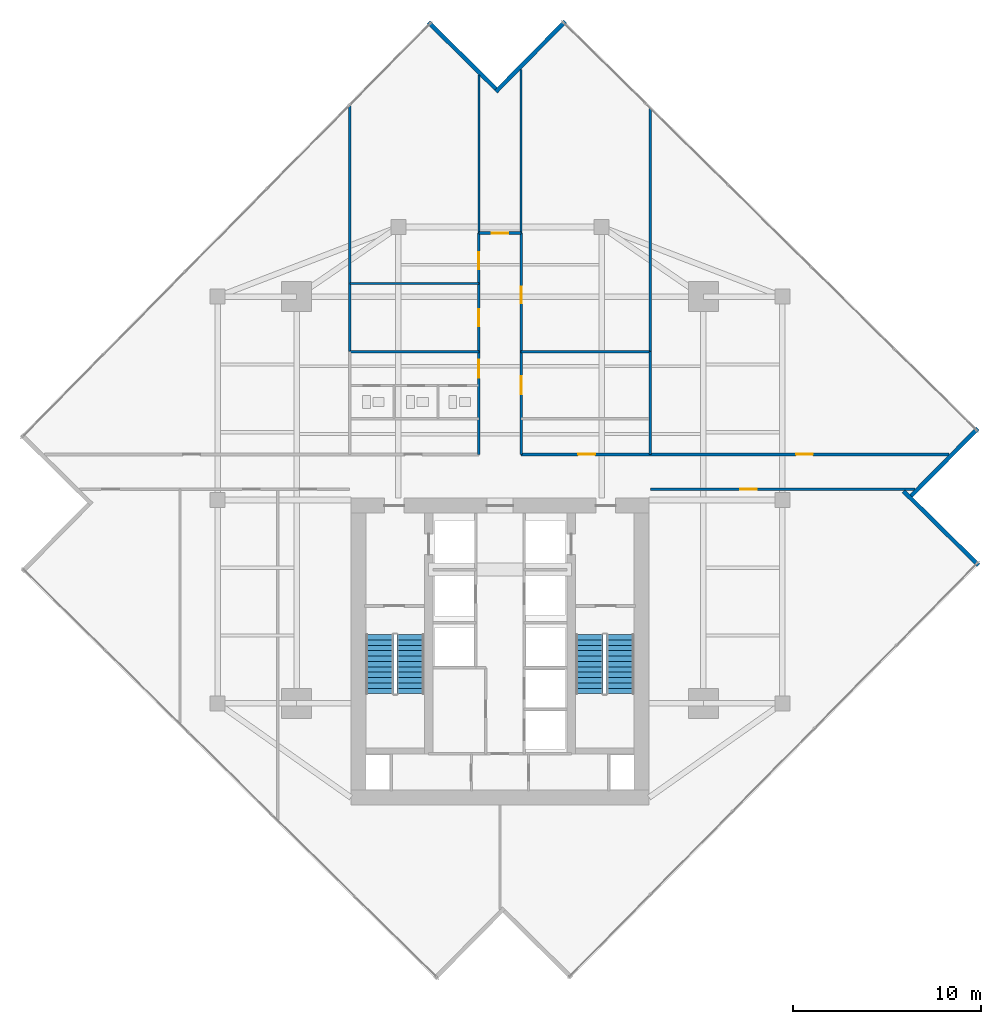
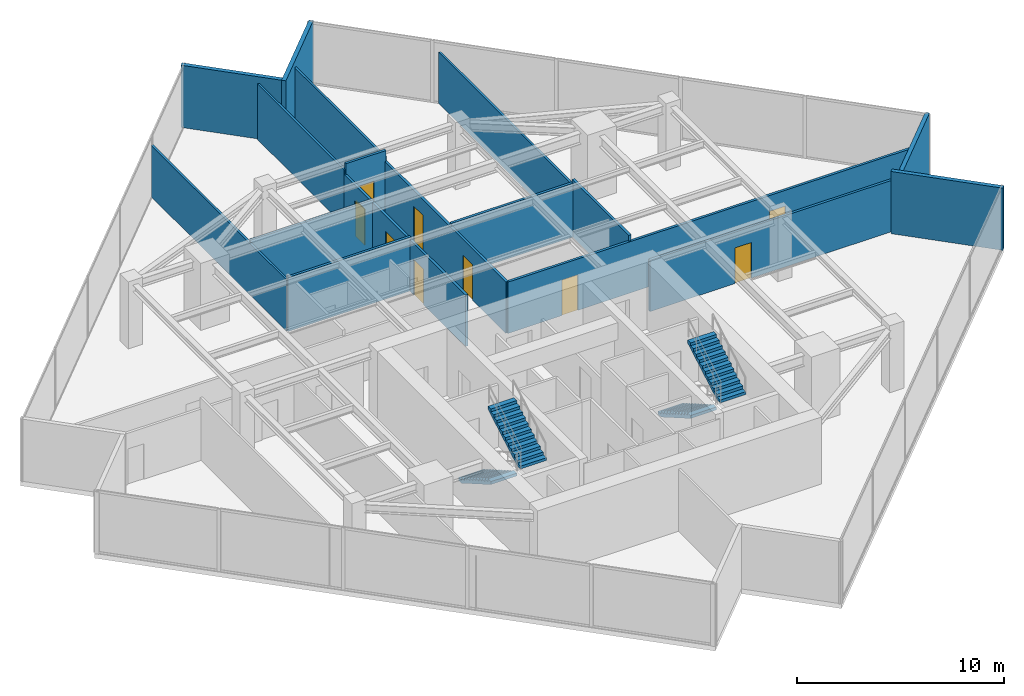
# One storey, part 22 of 24: 17 walls, 9 doors, 4 stair flights, 9 openings, 2 elements without a shape of their own.
"""IFC4 building model written with IfcOpenShell, lengths in metres."""

import ifcopenshell
import ifcopenshell.guid

model = None  # the IFC model being written
_history = None  # IfcOwnerHistory: only IFC2X3 demands one
_inside = {}  # id of a spatial element -> (the spatial element, [elements in it])
_under = {}  # id of a project, library or spatial element -> (it, [spatial elements below it])
_declared = {}  # id of a project -> (the project, [libraries it declares])
_typed = {}  # id of a type object -> (the type object, [elements of that type])
_made_of = {}  # id of a material, layer set ... -> (it, [elements and type objects made of it])


def new_model(schema):
    """Start an empty IFC model of exactly this schema.

    Asked for "IFC4X3", IfcOpenShell would pick the latest addendum, in which some entities
    have other attributes; the version numbers below select the first issue.
    IFC2X3 requires an IfcOwnerHistory on every rooted entity: one is made here for all.
    """
    global model, _history
    if schema == "IFC4X3":
        model = ifcopenshell.file(schema_version=(4, 3, 0, 0))
    else:
        model = ifcopenshell.file(schema=schema)
    _inside.clear()
    _under.clear()
    _declared.clear()
    _typed.clear()
    _made_of.clear()
    _history = None
    if model.schema == "IFC2X3":
        org = make("IfcOrganization", Name="unknown")
        user = make(
            "IfcPersonAndOrganization",
            ThePerson=make("IfcPerson", FamilyName="unknown"),
            TheOrganization=org,
        )
        app = make(
            "IfcApplication",
            ApplicationDeveloper=org,
            Version="unknown",
            ApplicationFullName="unknown",
            ApplicationIdentifier="unknown",
        )
        _history = make(
            "IfcOwnerHistory",
            OwningUser=user,
            OwningApplication=app,
            ChangeAction="ADDED",
            CreationDate=0,
        )
    return model


def make(cls, **values):
    """One entity of the class cls with the attributes given. An attribute that is None is left unset."""
    return model.create_entity(
        cls, **{name: value for name, value in values.items() if value is not None}
    )


def rooted(cls, **values):
    """An entity with a GlobalId (a new one), such as an element, a storey or a relation."""
    return make(cls, GlobalId=ifcopenshell.guid.new(), OwnerHistory=_history, **values)


def si_unit(unit_type, name, prefix=None):
    """IfcSIUnit, for example si_unit("LENGTHUNIT", "METRE", prefix="MILLI")."""
    return make("IfcSIUnit", UnitType=unit_type, Prefix=prefix, Name=name)


def assignment(units):
    """IfcUnitAssignment: the units of a project."""
    return None if units is None else make("IfcUnitAssignment", Units=units)


def point(xyz):
    """IfcCartesianPoint."""
    return None if xyz is None else make("IfcCartesianPoint", Coordinates=xyz)


def direction(xyz):
    """IfcDirection."""
    return None if xyz is None else make("IfcDirection", DirectionRatios=xyz)


def frame(location, z_axis=None, x_axis=None):
    """IfcAxis2Placement3D, a coordinate frame: its origin and axes. An axis left out is left unset."""
    return make(
        "IfcAxis2Placement3D",
        Location=point(location),
        Axis=direction(z_axis),
        RefDirection=direction(x_axis),
    )


def frame_2d(location, x_axis=None):
    """IfcAxis2Placement2D, a coordinate frame in the plane: its origin and x axis."""
    return make(
        "IfcAxis2Placement2D", Location=point(location), RefDirection=direction(x_axis)
    )


def origin():
    """The frame at (0, 0, 0) with its axes left unset."""
    return frame((0.0, 0.0, 0.0))


def place(relative_to, where):
    """IfcLocalPlacement: puts the frame where relative to a parent placement (None: the world)."""
    return make(
        "IfcLocalPlacement", PlacementRelTo=relative_to, RelativePlacement=where
    )


def context(
    kind, dimensions, precision=None, world=None, true_north=None, identifier=None
):
    """IfcGeometricRepresentationContext, for example the 3D "Model" context."""
    return make(
        "IfcGeometricRepresentationContext",
        ContextIdentifier=identifier,
        ContextType=kind,
        CoordinateSpaceDimension=dimensions,
        Precision=precision,
        WorldCoordinateSystem=world,
        TrueNorth=true_north,
    )


def subcontext(parent, identifier, kind, view, scale=None):
    """IfcGeometricRepresentationSubContext, for example "Body" below "Model"."""
    return make(
        "IfcGeometricRepresentationSubContext",
        ContextIdentifier=identifier,
        ContextType=kind,
        ParentContext=parent,
        TargetScale=scale,
        TargetView=view,
    )


def project(units=None, contexts=None):
    """IfcProject with its units and contexts."""
    return rooted(
        "IfcProject",
        Name="project",
        RepresentationContexts=contexts,
        UnitsInContext=assignment(units),
    )


def spatial(cls, under=None, at=None, **own):
    """A site, building, storey or space (cls), placed at a placement, below another one or the project."""
    s = rooted(cls, ObjectPlacement=at, **own)
    if under is not None:
        _under.setdefault(under.id(), (under, []))[1].append(s)
    return s


def polyline(points):
    """IfcPolyline through the points."""
    return make("IfcPolyline", Points=[point(p) for p in points])


def profile(cls, at=None, kind="AREA", **sizes):
    """A parametric profile (cls). Its sizes go by their IFC names, for example OverallWidth=200.0."""
    return make(cls, ProfileType=kind, Position=at, **sizes)


def rectangle(**sizes):
    """IfcRectangleProfileDef."""
    return profile("IfcRectangleProfileDef", **sizes)


def outline(outer, holes=None, kind="AREA"):
    """IfcArbitraryClosedProfileDef: a profile drawn as a closed curve; with holes, ...WithVoids."""
    if holes is None:
        return make("IfcArbitraryClosedProfileDef", ProfileType=kind, OuterCurve=outer)
    return make(
        "IfcArbitraryProfileDefWithVoids",
        ProfileType=kind,
        OuterCurve=outer,
        InnerCurves=holes,
    )


def extrude(swept, where, along, depth):
    """IfcExtrudedAreaSolid: the profile swept, set in the frame where, extruded along a direction by depth."""
    return make(
        "IfcExtrudedAreaSolid",
        SweptArea=swept,
        Position=where,
        ExtrudedDirection=direction(along),
        Depth=depth,
    )


def shape(context_of_items, identifier, shape_type, items):
    """IfcShapeRepresentation: the items that make up one representation, for example the "Body"."""
    return make(
        "IfcShapeRepresentation",
        ContextOfItems=context_of_items,
        RepresentationIdentifier=identifier,
        RepresentationType=shape_type,
        Items=items,
    )


def material(Name=None, Category=None):
    """IfcMaterial."""
    return make("IfcMaterial", Name=Name, Category=Category)


def layer(
    of_material, thickness, ventilated=None, Name=None, Category=None, Priority=None
):
    """IfcMaterialLayer: one layer of a wall or slab, of a material (None: an air gap)."""
    return make(
        "IfcMaterialLayer",
        Material=of_material,
        LayerThickness=thickness,
        IsVentilated=ventilated,
        Name=Name,
        Category=Category,
        Priority=Priority,
    )


def layer_set(layers, Name=None):
    """IfcMaterialLayerSet."""
    return make("IfcMaterialLayerSet", MaterialLayers=layers, LayerSetName=Name)


def made_of(thing, what):
    """Note that an element or type object is made of a material, layer set ...; save() writes the relation."""
    if what is not None:
        _made_of.setdefault(what.id(), (what, []))[1].append(thing)
    return thing


def type_object(cls, material=None, **own):
    """A type object (cls), such as IfcWallType, which elements share."""
    return made_of(rooted(cls, **own), material)


def element(
    cls,
    number,
    at=None,
    inside=None,
    cuts=None,
    type_object=None,
    material=None,
    context=None,
    identifier="Body",
    shape_type=None,
    held_by="IfcProductDefinitionShape",
    body=None,
    shapes=None,
    **own,
):
    """One element of the class cls, such as IfcWall. Its Tag is "e" and its number.

    at: its placement. inside: the storey or other place that contains it. cuts: it is an
    opening in that element (IfcRelVoidsElement). A single representation is given by context,
    identifier, shape_type and body (its items); several are given by shapes. held_by: the class
    of the entity that holds the representations. save() writes the other relations.
    """
    e = rooted(cls, Tag="e%d" % number, ObjectPlacement=at, **own)
    if body is not None:
        shapes = [shape(context, identifier, shape_type, body)]
    if shapes is not None:
        e.Representation = make(held_by, Representations=shapes)
    if inside is not None:
        _inside.setdefault(inside.id(), (inside, []))[1].append(e)
    if cuts is not None:
        rooted(
            "IfcRelVoidsElement", RelatingBuildingElement=cuts, RelatedOpeningElement=e
        )
    if type_object is not None:
        _typed.setdefault(type_object.id(), (type_object, []))[1].append(e)
    return made_of(e, material)


def fill(opening, filler):
    """IfcRelFillsElement: the door or window that sits in an opening."""
    return rooted(
        "IfcRelFillsElement",
        RelatingOpeningElement=opening,
        RelatedBuildingElement=filler,
    )


def aggregate(whole, parts):
    """IfcRelAggregates: a whole, such as a stair, and the parts it consists of."""
    return rooted("IfcRelAggregates", RelatingObject=whole, RelatedObjects=parts)


def save(model, path):
    """Write the relations noted so far, then the file.

    IfcRelAggregates (storeys below a building ...), IfcRelContainedInSpatialStructure (elements
    in a storey), IfcRelDefinesByType, IfcRelAssociatesMaterial and IfcRelDeclares: one each for
    every whole, place, type object, material and project.
    """
    for whole, parts in _under.values():
        aggregate(whole, parts)
    for where, things in _inside.values():
        rooted(
            "IfcRelContainedInSpatialStructure",
            RelatedElements=things,
            RelatingStructure=where,
        )
    for kind, things in _typed.values():
        rooted("IfcRelDefinesByType", RelatedObjects=things, RelatingType=kind)
    for what, things in _made_of.values():
        rooted("IfcRelAssociatesMaterial", RelatedObjects=things, RelatingMaterial=what)
    for by, libraries in _declared.values():
        rooted("IfcRelDeclares", RelatingContext=by, RelatedDefinitions=libraries)
    model.write(path)


model = new_model("IFC4")

# Units and contexts
model_context = context("Model", 3, precision=1e-05, world=origin(), true_north=direction((0.0, 1.0)))
body_context = subcontext(model_context, "Body", "Model", "MODEL_VIEW")
ifc_project = project(units=[si_unit("LENGTHUNIT", "METRE"), si_unit("AREAUNIT", "SQUARE_METRE"), si_unit("VOLUMEUNIT", "CUBIC_METRE"), si_unit("PLANEANGLEUNIT", "RADIAN"), si_unit("MASSUNIT", "GRAM", prefix="KILO")], contexts=[model_context])

# Site, building, storey
site_placement = place(None, origin())
site = spatial("IfcSite", under=ifc_project, at=site_placement, CompositionType="ELEMENT")
building_placement = place(site_placement, origin())
building = spatial("IfcBuilding", under=site, at=building_placement, Name="Krantzveldt Concourse Tower", CompositionType="ELEMENT")
storey_placement = place(building_placement, frame((0.0, 0.0, 234.949951171875)))
storey = spatial("IfcBuildingStorey", under=building, at=storey_placement, Name="L57", CompositionType="ELEMENT", Elevation=234.949951171875)

# Walls
ifc_material_1 = material(Name="Anodised aluminium 6063-T6", Category="aluminium")
ifc_layer_1 = layer(ifc_material_1, 0.219970703125, Name="Anodised aluminium 6063-T6", Category="aluminium")
ifc_layer_set_1 = layer_set([ifc_layer_1], Name="Anodised aluminium 6063-T6 (WL-EXT-NOTCH220)")
wall_type_1 = type_object("IfcWallType", Name="WL-EXT-NOTCH220", PredefinedType="ELEMENTEDWALL", material=ifc_layer_set_1)
wall_1_placement = place(storey_placement, frame((35.779296875, 48.54150390625, 0.0), z_axis=(0.0, 0.0, 1.0), x_axis=(-0.711707198953, 0.70247623658, 0.0)))
element("IfcWall", 1, at=wall_1_placement, inside=storey, type_object=wall_type_1, Name="EW-L57-NCH00", PredefinedType="ELEMENTEDWALL", context=body_context, shape_type="SweptSolid", body=[
    extrude(rectangle(XDim=5.025146484375, YDim=0.219970703125, at=frame_2d((2.5126953125, 0.0))), origin(), (0.0, 0.0, 1.0), 3.670166015625),
])
wall_2_placement = place(storey_placement, frame((61.4189453125, 23.2353515625, 0.0), z_axis=(0.0, 0.0, 1.0), x_axis=(-0.711721132709, 0.702462119446, 0.0)))
element("IfcWall", 2, at=wall_2_placement, inside=storey, type_object=wall_type_1, Name="EW-L57-NCH08", PredefinedType="ELEMENTEDWALL", context=body_context, shape_type="SweptSolid", body=[
    extrude(rectangle(XDim=5.590087890625, YDim=0.219970703125, at=frame_2d((2.794921875, 0.0))), origin(), (0.0, 0.0, 1.0), 3.670166015625),
])
wall_3_placement = place(storey_placement, frame((57.841552734375, 26.920654296875, 0.0), z_axis=(0.0, 0.0, 1.0), x_axis=(0.702451626199, 0.711731489292, 0.0)))
element("IfcWall", 3, at=wall_3_placement, inside=storey, type_object=wall_type_1, Name="EW-L57-NCH09", PredefinedType="ELEMENTEDWALL", context=body_context, shape_type="SweptSolid", body=[
    extrude(rectangle(XDim=5.02490234375, YDim=0.219970703125, at=frame_2d((2.512451171875, 0.0))), origin(), (0.0, 0.0, 1.0), 3.670166015625),
])
wall_4_placement = place(storey_placement, frame((39.464599609375, 52.118896484375, 0.0), z_axis=(0.0, 0.0, 1.0), x_axis=(-0.702460059039, -0.711723166305, 0.0)))
element("IfcWall", 4, at=wall_4_placement, inside=storey, type_object=wall_type_1, Name="EW-L57-NCH11", PredefinedType="ELEMENTEDWALL", context=body_context, shape_type="SweptSolid", body=[
    extrude(rectangle(XDim=5.244873046875, YDim=0.219970703125, at=frame_2d((2.62255859375, 0.0))), origin(), (0.0, 0.0, 1.0), 3.670166015625),
])
ifc_material_2 = material(Name="Fire-rated gypsum plasterboard on steel stud", Category="steel")
ifc_layer_2 = layer(ifc_material_2, 0.1201171875, Name="Fire-rated gypsum plasterboard on steel stud", Category="steel")
ifc_layer_set_2 = layer_set([ifc_layer_2], Name="Fire-rated gypsum plasterboard on steel stud (WL-PART-120)")
wall_type_2 = type_object("IfcWallType", Name="WL-PART-120", PredefinedType="PARTITIONING", material=ifc_layer_set_2)
wall_5_placement = place(storey_placement, frame((34.8798828125, 40.8798828125, 0.0), z_axis=(0.0, 0.0, 1.0), x_axis=(0.0, 1.0, 0.0)))
element("IfcWall", 5, at=wall_5_placement, inside=storey, type_object=wall_type_2, Name="WP-L57-NTL", PredefinedType="PARTITIONING", context=body_context, shape_type="SweptSolid", body=[
    extrude(rectangle(XDim=8.3876953125, YDim=0.1201171875, at=frame_2d((4.19384765625, 0.0))), origin(), (0.0, 0.0, 1.0), 3.280029296875),
])
wall_6_placement = place(storey_placement, frame((37.1201171875, 40.8798828125, 0.0), z_axis=(0.0, 0.0, 1.0), x_axis=(0.0, 1.0, 0.0)))
element("IfcWall", 6, at=wall_6_placement, inside=storey, type_object=wall_type_2, Name="WP-L57-NTR", PredefinedType="PARTITIONING", context=body_context, shape_type="SweptSolid", body=[
    extrude(rectangle(XDim=8.69970703125, YDim=0.1201171875, at=frame_2d((4.349853515625, 0.0))), origin(), (0.0, 0.0, 1.0), 3.280029296875),
])
wall_7_placement = place(storey_placement, frame((28.02001953125, 34.580078125, 0.0), z_axis=(0.0, 0.0, 1.0), x_axis=(0.0, 1.0, 0.0)))
element("IfcWall", 7, at=wall_7_placement, inside=storey, type_object=wall_type_2, Name="WP-L57-ISWL2", PredefinedType="PARTITIONING", context=body_context, shape_type="SweptSolid", body=[
    extrude(rectangle(XDim=13.089599609375, YDim=0.1201171875, at=frame_2d((6.544921875, 0.0))), origin(), (0.0, 0.0, 1.0), 3.030029296875),
])
wall_8_placement = place(storey_placement, frame((43.97998046875, 34.580078125, 0.0), z_axis=(0.0, 0.0, 1.0), x_axis=(0.0, 1.0, 0.0)))
element("IfcWall", 8, at=wall_8_placement, inside=storey, type_object=wall_type_2, Name="WP-L57-ISER2", PredefinedType="PARTITIONING", context=body_context, shape_type="SweptSolid", body=[
    extrude(rectangle(XDim=12.920654296875, YDim=0.1201171875, at=frame_2d((6.46044921875, 0.0))), origin(), (0.0, 0.0, 1.0), 3.030029296875),
])
wall_9_placement = place(storey_placement, frame((28.02001953125, 38.199951171875, 0.0), z_axis=(0.0, 0.0, 1.0), x_axis=(1.0, 0.0, 0.0)))
element("IfcWall", 9, at=wall_9_placement, inside=storey, type_object=wall_type_2, Name="WP-L57-NWIY", PredefinedType="PARTITIONING", context=body_context, shape_type="SweptSolid", body=[
    extrude(rectangle(XDim=6.85986328125, YDim=0.1201171875, at=frame_2d((3.429931640625, 0.0))), origin(), (0.0, 0.0, 1.0), 3.179931640625),
])

# Wall, openings, doors
ifc_layer_3 = layer(ifc_material_2, 0.139892578125, Name="Fire-rated gypsum plasterboard on steel stud", Category="steel")
ifc_layer_set_3 = layer_set([ifc_layer_3], Name="Fire-rated gypsum plasterboard on steel stud (WL-PART-140)")
wall_type_3 = type_object("IfcWallType", Name="WL-PART-140", PredefinedType="PARTITIONING", material=ifc_layer_set_3)
wall_10_placement = place(storey_placement, frame((34.8798828125, 29.1201171875, 0.0), z_axis=(0.0, 0.0, 1.0), x_axis=(0.0, 1.0, 0.0)))
wall_10 = element("IfcWall", 10, at=wall_10_placement, inside=storey, type_object=wall_type_3, Name="WP-L57-SPWL", PredefinedType="PARTITIONING", context=body_context, shape_type="SweptSolid", body=[
    extrude(rectangle(XDim=11.759765625, YDim=0.139892578125, at=frame_2d((5.8798828125, 0.0))), origin(), (0.0, 0.0, 1.0), 3.030029296875),
])
opening_1_placement = place(wall_10_placement, frame((4.0849609375, 0.0, 0.0)))
opening_1 = element("IfcOpeningElement", 11, at=opening_1_placement, cuts=wall_10, Name="Opening D-IN095", PredefinedType="OPENING", context=body_context, shape_type="SweptSolid", body=[
    extrude(rectangle(XDim=0.949951171875, YDim=2.10009765625, at=frame_2d((0.47509765625, 1.050048828125))), frame((0.0, 0.080078125, 0.0), z_axis=(0.0, -1.0, 0.0), x_axis=(1.0, 0.0, 0.0)), (0.0, 0.0, 1.0), 0.159912109375),
])
opening_2_placement = place(wall_10_placement, frame((6.820068359375, 0.0, 0.0)))
opening_2 = element("IfcOpeningElement", 12, at=opening_2_placement, cuts=wall_10, Name="Opening D-IN090", PredefinedType="OPENING", context=body_context, shape_type="SweptSolid", body=[
    extrude(rectangle(XDim=0.89990234375, YDim=2.10009765625, at=frame_2d((0.449951171875, 1.050048828125))), frame((0.0, 0.080078125, 0.0), z_axis=(0.0, -1.0, 0.0), x_axis=(1.0, 0.0, 0.0)), (0.0, 0.0, 1.0), 0.159912109375),
])
opening_3_placement = place(wall_10_placement, frame((9.830078125, 0.0, 0.0)))
opening_3 = element("IfcOpeningElement", 13, at=opening_3_placement, cuts=wall_10, Name="Opening D-IN090", PredefinedType="OPENING", context=body_context, shape_type="SweptSolid", body=[
    extrude(rectangle(XDim=0.89990234375, YDim=2.10009765625, at=frame_2d((0.449951171875, 1.050048828125))), frame((0.0, 0.080078125, 0.0), z_axis=(0.0, -1.0, 0.0), x_axis=(1.0, 0.0, 0.0)), (0.0, 0.0, 1.0), 0.159912109375),
])
ifc_material_3 = material(Name="Hardwood timber", Category="wood")
door_type_1 = type_object("IfcDoorType", Name="DR-INT-900", OperationType="SINGLE_SWING_LEFT", PredefinedType="DOOR", material=ifc_material_3)
door_1_placement = place(opening_2_placement, origin())
door_1 = element("IfcDoor", 14, at=door_1_placement, inside=storey, type_object=door_type_1, Name="DR-L57-NWI1", OperationType="SINGLE_SWING_LEFT", OverallHeight=2.10009765625, OverallWidth=0.89990234375, PredefinedType="DOOR", context=body_context, shape_type="SweptSolid", body=[
    extrude(rectangle(XDim=0.89990234375, YDim=2.10009765625, at=frame_2d((0.449951171875, 1.050048828125))), frame((0.0, 0.02490234375, 0.0), z_axis=(0.0, -1.0, 0.0), x_axis=(1.0, 0.0, 0.0)), (0.0, 0.0, 1.0), 0.050048828125),
])
fill(opening_2, door_1)
door_2_placement = place(opening_3_placement, origin())
door_2 = element("IfcDoor", 15, at=door_2_placement, inside=storey, type_object=door_type_1, Name="DR-L57-NWI2", OperationType="SINGLE_SWING_LEFT", OverallHeight=2.10009765625, OverallWidth=0.89990234375, PredefinedType="DOOR", context=body_context, shape_type="SweptSolid", body=[
    extrude(rectangle(XDim=0.89990234375, YDim=2.10009765625, at=frame_2d((0.449951171875, 1.050048828125))), frame((0.0, 0.02490234375, 0.0), z_axis=(0.0, -1.0, 0.0), x_axis=(1.0, 0.0, 0.0)), (0.0, 0.0, 1.0), 0.050048828125),
])
fill(opening_3, door_2)
door_type_2 = type_object("IfcDoorType", Name="DR-INT-950", OperationType="SINGLE_SWING_LEFT", PredefinedType="DOOR", material=ifc_material_3)
door_3_placement = place(opening_1_placement, origin())
door_3 = element("IfcDoor", 16, at=door_3_placement, inside=storey, type_object=door_type_2, Name="DR-L57-WCLB", OperationType="SINGLE_SWING_LEFT", OverallHeight=2.10009765625, OverallWidth=0.949951171875, PredefinedType="DOOR", context=body_context, shape_type="SweptSolid", body=[
    extrude(rectangle(XDim=0.949951171875, YDim=2.10009765625, at=frame_2d((0.47509765625, 1.050048828125))), frame((0.0, 0.02490234375, 0.0), z_axis=(0.0, -1.0, 0.0), x_axis=(1.0, 0.0, 0.0)), (0.0, 0.0, 1.0), 0.050048828125),
])
fill(opening_1, door_3)

wall_11_placement = place(storey_placement, frame((37.1201171875, 29.1201171875, 0.0), z_axis=(0.0, 0.0, 1.0), x_axis=(0.0, 1.0, 0.0)))
wall_11 = element("IfcWall", 17, at=wall_11_placement, inside=storey, type_object=wall_type_3, Name="WP-L57-SPER", PredefinedType="PARTITIONING", context=body_context, shape_type="SweptSolid", body=[
    extrude(rectangle(XDim=11.759765625, YDim=0.139892578125, at=frame_2d((5.8798828125, 0.0))), origin(), (0.0, 0.0, 1.0), 3.030029296875),
])
opening_4_placement = place(wall_11_placement, frame((3.205078125, 0.0, 0.0)))
opening_4 = element("IfcOpeningElement", 18, at=opening_4_placement, cuts=wall_11, Name="Opening D-IN095", PredefinedType="OPENING", context=body_context, shape_type="SweptSolid", body=[
    extrude(rectangle(XDim=0.949951171875, YDim=2.10009765625, at=frame_2d((0.47509765625, 1.050048828125))), frame((0.0, 0.080078125, 0.0), z_axis=(0.0, -1.0, 0.0), x_axis=(1.0, 0.0, 0.0)), (0.0, 0.0, 1.0), 0.159912109375),
])
opening_5_placement = place(wall_11_placement, frame((8.02001953125, 0.0, 0.0)))
opening_5 = element("IfcOpeningElement", 19, at=opening_5_placement, cuts=wall_11, Name="Opening D-IN090", PredefinedType="OPENING", context=body_context, shape_type="SweptSolid", body=[
    extrude(rectangle(XDim=0.89990234375, YDim=2.10009765625, at=frame_2d((0.449951171875, 1.050048828125))), frame((0.0, 0.080078125, 0.0), z_axis=(0.0, -1.0, 0.0), x_axis=(1.0, 0.0, 0.0)), (0.0, 0.0, 1.0), 0.159912109375),
])
door_4_placement = place(opening_5_placement, origin())
door_4 = element("IfcDoor", 20, at=door_4_placement, inside=storey, type_object=door_type_1, Name="DR-L57-NEI1", OperationType="SINGLE_SWING_LEFT", OverallHeight=2.10009765625, OverallWidth=0.89990234375, PredefinedType="DOOR", context=body_context, shape_type="SweptSolid", body=[
    extrude(rectangle(XDim=0.89990234375, YDim=2.10009765625, at=frame_2d((0.449951171875, 1.050048828125))), frame((0.0, 0.02490234375, 0.0), z_axis=(0.0, -1.0, 0.0), x_axis=(1.0, 0.0, 0.0)), (0.0, 0.0, 1.0), 0.050048828125),
])
fill(opening_5, door_4)
door_5_placement = place(opening_4_placement, origin())
door_5 = element("IfcDoor", 21, at=door_5_placement, inside=storey, type_object=door_type_2, Name="DR-L57-PNT", OperationType="SINGLE_SWING_RIGHT", OverallHeight=2.10009765625, OverallWidth=0.949951171875, PredefinedType="DOOR", context=body_context, shape_type="SweptSolid", body=[
    extrude(rectangle(XDim=0.949951171875, YDim=2.10009765625, at=frame_2d((0.47509765625, 1.050048828125))), frame((0.0, 0.02490234375, 0.0), z_axis=(0.0, -1.0, 0.0), x_axis=(1.0, 0.0, 0.0)), (0.0, 0.0, 1.0), 0.050048828125),
])
fill(opening_4, door_5)

# Wall, opening, door
wall_12_placement = place(storey_placement, frame((34.8798828125, 40.8798828125, 0.0), z_axis=(0.0, 0.0, 1.0), x_axis=(1.0, 0.0, 0.0)))
wall_12 = element("IfcWall", 22, at=wall_12_placement, inside=storey, type_object=wall_type_3, Name="WP-L57-SPTOP", PredefinedType="PARTITIONING", context=body_context, shape_type="SweptSolid", body=[
    extrude(rectangle(XDim=2.240234375, YDim=0.139892578125, at=frame_2d((1.1201171875, 0.0))), origin(), (0.0, 0.0, 1.0), 3.670166015625),
])
opening_6_placement = place(wall_12_placement, frame((0.669921875, 0.0, 0.0)))
opening_6 = element("IfcOpeningElement", 23, at=opening_6_placement, cuts=wall_12, Name="Opening D-IN090", PredefinedType="OPENING", context=body_context, shape_type="SweptSolid", body=[
    extrude(rectangle(XDim=0.89990234375, YDim=2.10009765625, at=frame_2d((0.449951171875, 1.050048828125))), frame((0.0, 0.080078125, 0.0), z_axis=(0.0, -1.0, 0.0), x_axis=(1.0, 0.0, 0.0)), (0.0, 0.0, 1.0), 0.159912109375),
])
door_6_placement = place(opening_6_placement, origin())
door_6 = element("IfcDoor", 24, at=door_6_placement, inside=storey, type_object=door_type_1, Name="DR-L57-NTOP", OperationType="SINGLE_SWING_LEFT", OverallHeight=2.10009765625, OverallWidth=0.89990234375, PredefinedType="DOOR", context=body_context, shape_type="SweptSolid", body=[
    extrude(rectangle(XDim=0.89990234375, YDim=2.10009765625, at=frame_2d((0.449951171875, 1.050048828125))), frame((0.0, 0.02490234375, 0.0), z_axis=(0.0, -1.0, 0.0), x_axis=(1.0, 0.0, 0.0)), (0.0, 0.0, 1.0), 0.050048828125),
])
fill(opening_6, door_6)

# Wall, openings, doors
wall_13_placement = place(storey_placement, frame((37.1201171875, 29.1201171875, 0.0), z_axis=(0.0, 0.0, 1.0), x_axis=(1.0, 0.0, 0.0)))
wall_13 = element("IfcWall", 25, at=wall_13_placement, inside=storey, type_object=wall_type_3, Name="WP-L57-EWNR", PredefinedType="PARTITIONING", context=body_context, shape_type="SweptSolid", body=[
    extrude(rectangle(XDim=22.73046875, YDim=0.139892578125, at=frame_2d((11.365234375, 0.0))), origin(), (0.0, 0.0, 1.0), 3.030029296875),
])
opening_7_placement = place(wall_13_placement, frame((3.030029296875, 0.0, 0.0)))
opening_7 = element("IfcOpeningElement", 26, at=opening_7_placement, cuts=wall_13, Name="Opening D-IN090", PredefinedType="OPENING", context=body_context, shape_type="SweptSolid", body=[
    extrude(rectangle(XDim=0.89990234375, YDim=2.10009765625, at=frame_2d((0.449951171875, 1.050048828125))), frame((0.0, 0.080078125, 0.0), z_axis=(0.0, -1.0, 0.0), x_axis=(1.0, 0.0, 0.0)), (0.0, 0.0, 1.0), 0.159912109375),
])
opening_8_placement = place(wall_13_placement, frame((14.60400390625, 0.0, 0.0)))
opening_8 = element("IfcOpeningElement", 27, at=opening_8_placement, cuts=wall_13, Name="Opening D-IN090", PredefinedType="OPENING", context=body_context, shape_type="SweptSolid", body=[
    extrude(rectangle(XDim=0.89990234375, YDim=2.10009765625, at=frame_2d((0.449951171875, 1.050048828125))), frame((0.0, 0.080078125, 0.0), z_axis=(0.0, -1.0, 0.0), x_axis=(1.0, 0.0, 0.0)), (0.0, 0.0, 1.0), 0.159912109375),
])
door_7_placement = place(opening_7_placement, origin())
door_7 = element("IfcDoor", 28, at=door_7_placement, inside=storey, type_object=door_type_1, Name="DR-L57-ALCR", OperationType="SINGLE_SWING_RIGHT", OverallHeight=2.10009765625, OverallWidth=0.89990234375, PredefinedType="DOOR", context=body_context, shape_type="SweptSolid", body=[
    extrude(rectangle(XDim=0.89990234375, YDim=2.10009765625, at=frame_2d((0.449951171875, 1.050048828125))), frame((0.0, 0.02490234375, 0.0), z_axis=(0.0, -1.0, 0.0), x_axis=(1.0, 0.0, 0.0)), (0.0, 0.0, 1.0), 0.050048828125),
])
fill(opening_7, door_7)
door_8_placement = place(opening_8_placement, origin())
door_8 = element("IfcDoor", 29, at=door_8_placement, inside=storey, type_object=door_type_1, Name="DR-L57-NEX1", OperationType="SINGLE_SWING_RIGHT", OverallHeight=2.10009765625, OverallWidth=0.89990234375, PredefinedType="DOOR", context=body_context, shape_type="SweptSolid", body=[
    extrude(rectangle(XDim=0.89990234375, YDim=2.10009765625, at=frame_2d((0.449951171875, 1.050048828125))), frame((0.0, 0.02490234375, 0.0), z_axis=(0.0, -1.0, 0.0), x_axis=(1.0, 0.0, 0.0)), (0.0, 0.0, 1.0), 0.050048828125),
])
fill(opening_8, door_8)

# Wall, opening, door
wall_14_placement = place(storey_placement, frame((44.0, 27.280029296875, 0.0), z_axis=(0.0, 0.0, 1.0), x_axis=(1.0, 0.0, 0.0)))
wall_14 = element("IfcWall", 30, at=wall_14_placement, inside=storey, type_object=wall_type_3, Name="WP-L57-EWSR", PredefinedType="PARTITIONING", context=body_context, shape_type="SweptSolid", body=[
    extrude(rectangle(XDim=14.03466796875, YDim=0.139892578125, at=frame_2d((7.017333984375, 0.0))), origin(), (0.0, 0.0, 1.0), 3.030029296875),
])
opening_9_placement = place(wall_14_placement, frame((4.75, 0.0, 0.0)))
opening_9 = element("IfcOpeningElement", 31, at=opening_9_placement, cuts=wall_14, Name="Opening D-IN090", PredefinedType="OPENING", context=body_context, shape_type="SweptSolid", body=[
    extrude(rectangle(XDim=0.89990234375, YDim=2.10009765625, at=frame_2d((0.449951171875, 1.050048828125))), frame((0.0, 0.080078125, 0.0), z_axis=(0.0, -1.0, 0.0), x_axis=(1.0, 0.0, 0.0)), (0.0, 0.0, 1.0), 0.159912109375),
])
door_9_placement = place(opening_9_placement, origin())
door_9 = element("IfcDoor", 32, at=door_9_placement, inside=storey, type_object=door_type_1, Name="DR-L57-SEX1", OperationType="SINGLE_SWING_RIGHT", OverallHeight=2.10009765625, OverallWidth=0.89990234375, PredefinedType="DOOR", context=body_context, shape_type="SweptSolid", body=[
    extrude(rectangle(XDim=0.89990234375, YDim=2.10009765625, at=frame_2d((0.449951171875, 1.050048828125))), frame((0.0, 0.02490234375, 0.0), z_axis=(0.0, -1.0, 0.0), x_axis=(1.0, 0.0, 0.0)), (0.0, 0.0, 1.0), 0.050048828125),
])
fill(opening_9, door_9)

# Walls
for number, where, z_axis, x_axis, name in (
    (33, (28.02001953125, 34.580078125, 0.0), (0.0, 0.0, 1.0), (1.0, 0.0, 0.0), "WP-L57-ISNL"),
    (34, (37.1201171875, 34.580078125, 0.0), (0.0, 0.0, 1.0), (1.0, 0.0, 0.0), "WP-L57-ISNR"),
):
    element("IfcWall", number, at=place(storey_placement, frame(where, z_axis=z_axis, x_axis=x_axis)), inside=storey, type_object=wall_type_3, Name=name, PredefinedType="PARTITIONING", context=body_context, shape_type="SweptSolid", body=[
        extrude(rectangle(XDim=6.85986328125, YDim=0.139892578125, at=frame_2d((3.429931640625, 0.0))), origin(), (0.0, 0.0, 1.0), 3.179931640625),
    ])
wall_15_placement = place(storey_placement, frame((43.97998046875, 29.1201171875, 0.0), z_axis=(0.0, 0.0, 1.0), x_axis=(0.0, 1.0, 0.0)))
element("IfcWall", 35, at=wall_15_placement, inside=storey, type_object=wall_type_3, Name="WP-L57-ISER", PredefinedType="PARTITIONING", context=body_context, shape_type="SweptSolid", body=[
    extrude(rectangle(XDim=5.4599609375, YDim=0.139892578125, at=frame_2d((2.72998046875, 0.0))), origin(), (0.0, 0.0, 1.0), 3.3701171875),
])

# Stair, stair flights
ifc_material_4 = material(Name="Precast concrete C40/50", Category="concrete")
stair_type = type_object("IfcStairType", Name="STR-CORE-DOGLEG", PredefinedType="HALF_TURN_STAIR", material=ifc_material_4)
stair_1_placement = place(storey_placement, origin())
stair_1 = element("IfcStair", 36, at=stair_1_placement, inside=storey, type_object=stair_type, Name="L57 Protected Escape Stair ST-1", PredefinedType="HALF_TURN_STAIR")
stair_flight_type = type_object("IfcStairFlightType", Name="STF-CORE-1450", PredefinedType="STRAIGHT", material=ifc_material_4)
stair_flight_1_placement = place(storey_placement, frame((29.60498046875, 19.550048828125, 0.0), z_axis=(0.0, 0.0, 1.0), x_axis=(0.0, -1.0, 0.0)))
stair_flight_1 = element("IfcStairFlight", 37, at=stair_flight_1_placement, type_object=stair_flight_type, Name="ST-1 flight 1", NumberOfRisers=12, NumberOfTreads=11, PredefinedType="STRAIGHT", RiserHeight=0.164583333, TreadLength=0.285, context=body_context, shape_type="SweptSolid", body=[
    extrude(outline(polyline([(0.0, 0.0), (0.0, 0.16455078125), (0.284912109375, 0.16455078125), (0.284912109375, 0.3291015625), (0.570068359375, 0.3291015625), (0.570068359375, 0.49365234375), (0.85498046875, 0.49365234375), (0.85498046875, 0.658447265625), (1.139892578125, 0.658447265625), (1.139892578125, 0.822998046875), (1.425048828125, 0.822998046875), (1.425048828125, 0.987548828125), (1.7099609375, 0.987548828125), (1.7099609375, 1.152099609375), (1.9951171875, 1.152099609375), (1.9951171875, 1.316650390625), (2.280029296875, 1.316650390625), (2.280029296875, 1.481201171875), (2.56494140625, 1.481201171875), (2.56494140625, 1.645751953125), (2.85009765625, 1.645751953125), (2.85009765625, 1.810302734375), (3.135009765625, 1.810302734375), (3.135009765625, 1.97509765625), (3.135009765625, 1.63720703125), (0.2998046875, 0.0), (0.0, 0.0)])), frame((0.0, 0.72509765625, 0.0), z_axis=(0.0, -1.0, 0.0), x_axis=(1.0, 0.0, 0.0)), (0.0, 0.0, 1.0), 1.449951171875),
])
stair_flight_2_placement = place(storey_placement, frame((31.2548828125, 16.4150390625, 1.97509765625), z_axis=(0.0, 0.0, 1.0), x_axis=(0.0, 1.0, 0.0)))
stair_flight_2 = element("IfcStairFlight", 38, at=stair_flight_2_placement, type_object=stair_flight_type, Name="ST-1 flight 2", NumberOfRisers=12, NumberOfTreads=11, PredefinedType="STRAIGHT", RiserHeight=0.164583333, TreadLength=0.285, context=body_context, shape_type="SweptSolid", body=[
    extrude(outline(polyline([(0.0, 0.0), (0.0, 0.16455078125), (0.284912109375, 0.16455078125), (0.284912109375, 0.3291015625), (0.570068359375, 0.3291015625), (0.570068359375, 0.49365234375), (0.85498046875, 0.49365234375), (0.85498046875, 0.658447265625), (1.139892578125, 0.658447265625), (1.139892578125, 0.822998046875), (1.425048828125, 0.822998046875), (1.425048828125, 0.987548828125), (1.7099609375, 0.987548828125), (1.7099609375, 1.152099609375), (1.9951171875, 1.152099609375), (1.9951171875, 1.316650390625), (2.280029296875, 1.316650390625), (2.280029296875, 1.481201171875), (2.56494140625, 1.481201171875), (2.56494140625, 1.645751953125), (2.85009765625, 1.645751953125), (2.85009765625, 1.810302734375), (3.135009765625, 1.810302734375), (3.135009765625, 1.97509765625), (3.135009765625, 1.63720703125), (0.2998046875, 0.0), (0.0, 0.0)])), frame((0.0, 0.72509765625, 0.0), z_axis=(0.0, -1.0, 0.0), x_axis=(1.0, 0.0, 0.0)), (0.0, 0.0, 1.0), 1.449951171875),
])
aggregate(stair_1, [stair_flight_1, stair_flight_2])

stair_2_placement = place(storey_placement, origin())
stair_2 = element("IfcStair", 39, at=stair_2_placement, inside=storey, type_object=stair_type, Name="L57 Protected Escape Stair ST-2", PredefinedType="HALF_TURN_STAIR")
stair_flight_3_placement = place(storey_placement, frame((40.7451171875, 19.550048828125, 0.0), z_axis=(0.0, 0.0, 1.0), x_axis=(0.0, -1.0, 0.0)))
stair_flight_3 = element("IfcStairFlight", 40, at=stair_flight_3_placement, type_object=stair_flight_type, Name="ST-2 flight 1", NumberOfRisers=12, NumberOfTreads=11, PredefinedType="STRAIGHT", RiserHeight=0.164583333, TreadLength=0.285, context=body_context, shape_type="SweptSolid", body=[
    extrude(outline(polyline([(0.0, 0.0), (0.0, 0.16455078125), (0.284912109375, 0.16455078125), (0.284912109375, 0.3291015625), (0.570068359375, 0.3291015625), (0.570068359375, 0.49365234375), (0.85498046875, 0.49365234375), (0.85498046875, 0.658447265625), (1.139892578125, 0.658447265625), (1.139892578125, 0.822998046875), (1.425048828125, 0.822998046875), (1.425048828125, 0.987548828125), (1.7099609375, 0.987548828125), (1.7099609375, 1.152099609375), (1.9951171875, 1.152099609375), (1.9951171875, 1.316650390625), (2.280029296875, 1.316650390625), (2.280029296875, 1.481201171875), (2.56494140625, 1.481201171875), (2.56494140625, 1.645751953125), (2.85009765625, 1.645751953125), (2.85009765625, 1.810302734375), (3.135009765625, 1.810302734375), (3.135009765625, 1.97509765625), (3.135009765625, 1.63720703125), (0.2998046875, 0.0), (0.0, 0.0)])), frame((0.0, 0.72509765625, 0.0), z_axis=(0.0, -1.0, 0.0), x_axis=(1.0, 0.0, 0.0)), (0.0, 0.0, 1.0), 1.449951171875),
])
stair_flight_4_placement = place(storey_placement, frame((42.39501953125, 16.4150390625, 1.97509765625), z_axis=(0.0, 0.0, 1.0), x_axis=(0.0, 1.0, 0.0)))
stair_flight_4 = element("IfcStairFlight", 41, at=stair_flight_4_placement, type_object=stair_flight_type, Name="ST-2 flight 2", NumberOfRisers=12, NumberOfTreads=11, PredefinedType="STRAIGHT", RiserHeight=0.164583333, TreadLength=0.285, context=body_context, shape_type="SweptSolid", body=[
    extrude(outline(polyline([(0.0, 0.0), (0.0, 0.16455078125), (0.284912109375, 0.16455078125), (0.284912109375, 0.3291015625), (0.570068359375, 0.3291015625), (0.570068359375, 0.49365234375), (0.85498046875, 0.49365234375), (0.85498046875, 0.658447265625), (1.139892578125, 0.658447265625), (1.139892578125, 0.822998046875), (1.425048828125, 0.822998046875), (1.425048828125, 0.987548828125), (1.7099609375, 0.987548828125), (1.7099609375, 1.152099609375), (1.9951171875, 1.152099609375), (1.9951171875, 1.316650390625), (2.280029296875, 1.316650390625), (2.280029296875, 1.481201171875), (2.56494140625, 1.481201171875), (2.56494140625, 1.645751953125), (2.85009765625, 1.645751953125), (2.85009765625, 1.810302734375), (3.135009765625, 1.810302734375), (3.135009765625, 1.97509765625), (3.135009765625, 1.63720703125), (0.2998046875, 0.0), (0.0, 0.0)])), frame((0.0, 0.72509765625, 0.0), z_axis=(0.0, -1.0, 0.0), x_axis=(1.0, 0.0, 0.0)), (0.0, 0.0, 1.0), 1.449951171875),
])
aggregate(stair_2, [stair_flight_3, stair_flight_4])

save(model, "model.ifc")
